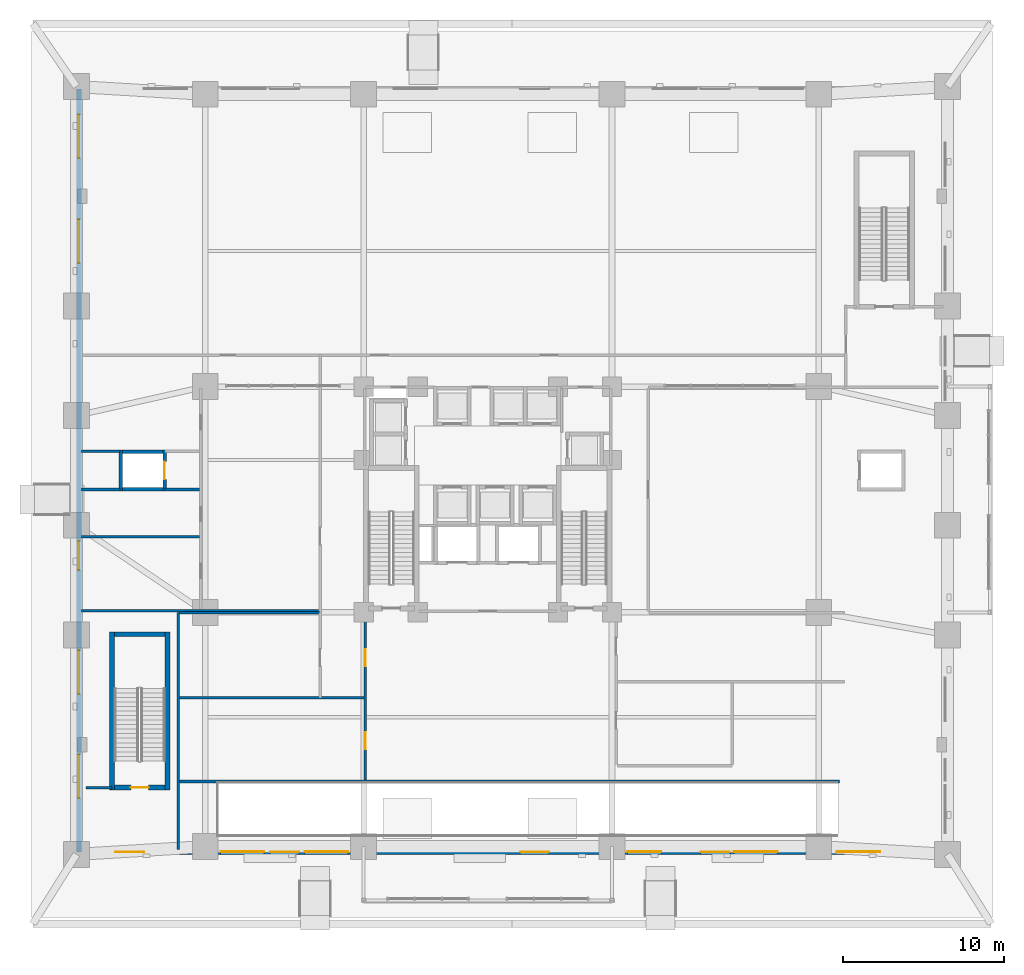
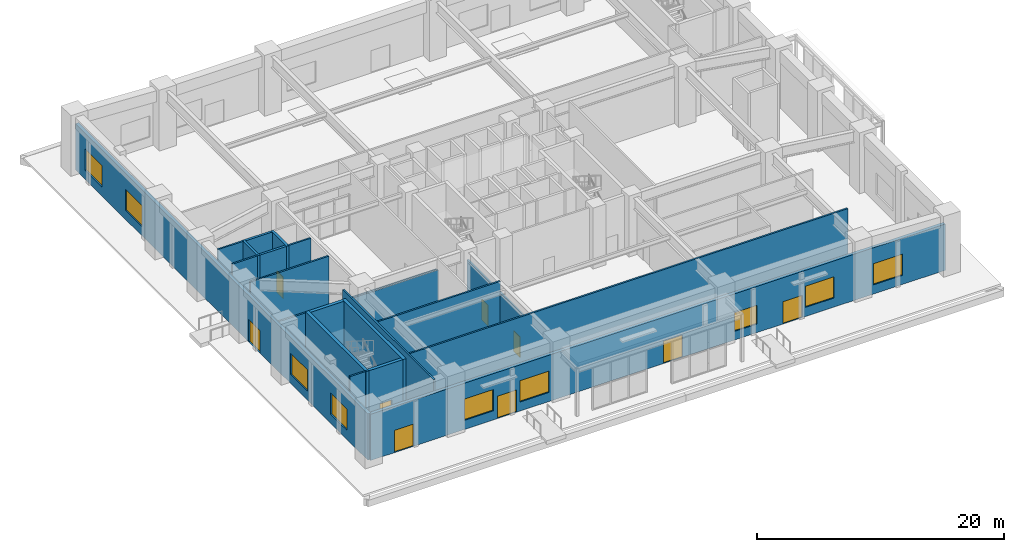
# One storey, part 13 of 24: 21 walls, 9 doors, 9 windows, 18 openings.
"""IFC4 building model written with IfcOpenShell, lengths in metres."""

from ifc_helpers import new_model, si_unit, derived_unit, direction, frame, frame_2d, origin, place, context, subcontext, project, spatial, rectangle, extrude, material, layer, layer_set, type_object, element, fill, save


model = new_model("IFC4")

# Units and contexts
model_context = context("Model", 3, precision=1e-05, world=origin(), true_north=direction((0.0, 1.0)))
body_context = subcontext(model_context, "Body", "Model", "MODEL_VIEW")
ifc_project = project(units=[si_unit("LENGTHUNIT", "METRE"), si_unit("AREAUNIT", "SQUARE_METRE"), si_unit("VOLUMEUNIT", "CUBIC_METRE"), si_unit("PLANEANGLEUNIT", "RADIAN"), si_unit("MASSUNIT", "GRAM", prefix="KILO"), derived_unit("THERMALTRANSMITTANCEUNIT", [(si_unit("MASSUNIT", "GRAM", prefix="KILO"), 1), (si_unit("TIMEUNIT", "SECOND"), -3), (si_unit("THERMODYNAMICTEMPERATUREUNIT", "KELVIN"), -1)])], contexts=[model_context])

# Site, building, storey
site_placement = place(None, origin())
site = spatial("IfcSite", under=ifc_project, at=site_placement, CompositionType="ELEMENT")
building_placement = place(site_placement, origin())
building = spatial("IfcBuilding", under=site, at=building_placement, Name="Korrvale Station Residences", CompositionType="ELEMENT")
storey_placement = place(building_placement, origin())
storey = spatial("IfcBuildingStorey", under=building, at=storey_placement, Name="L00", CompositionType="ELEMENT", Elevation=0.0)

# Walls
ifc_material_1 = material(Name="Concrete C70/85", Category="concrete")
ifc_layer_1 = layer(ifc_material_1, 0.300048828125, Name="Concrete C70/85")
ifc_layer_set_1 = layer_set([ifc_layer_1], Name="Concrete C70/85")
wall_type_1 = type_object("IfcWallType", Name="WAL-CORE-300-C70", PredefinedType="SHEAR", material=ifc_layer_set_1)
for number, where, z_axis, x_axis, name in (
    (1, (2.199951171875, 4.0, 0.0), (0.0, 0.0, 1.0), (0.0, 1.0, 0.0), "L00 ST-3 Core Shear Wall West"),
    (2, (5.64990234375, 4.0, 0.0), (0.0, 0.0, 1.0), (0.0, 1.0, 0.0), "L00 ST-3 Core Shear Wall East"),
):
    element("IfcWall", number, at=place(storey_placement, frame(where, z_axis=z_axis, x_axis=x_axis)), inside=storey, type_object=wall_type_1, Name=name, PredefinedType="SHEAR", context=body_context, shape_type="SweptSolid", body=[
        extrude(rectangle(XDim=9.800048828125, YDim=0.300048828125, at=frame_2d((4.89990234375, 0.0))), origin(), (0.0, 0.0, 1.0), 5.679931640625),
    ])
wall_1_placement = place(storey_placement, frame((2.35009765625, 13.64990234375, 0.0), z_axis=(0.0, 0.0, 1.0), x_axis=(1.0, 0.0, 0.0)))
element("IfcWall", 3, at=wall_1_placement, inside=storey, type_object=wall_type_1, Name="L00 ST-3 Core Shear Wall North", PredefinedType="SHEAR", context=body_context, shape_type="SweptSolid", body=[
    extrude(rectangle(XDim=3.14990234375, YDim=0.300048828125, at=frame_2d((1.574951171875, 0.0))), origin(), (0.0, 0.0, 1.0), 5.679931640625),
])

# Wall, opening, door
wall_2_placement = place(storey_placement, frame((2.35009765625, 4.14990234375, 0.0), z_axis=(0.0, 0.0, 1.0), x_axis=(1.0, 0.0, 0.0)))
wall_2 = element("IfcWall", 4, at=wall_2_placement, inside=storey, type_object=wall_type_1, Name="L00 ST-3 Core Shear Wall South", PredefinedType="SHEAR", context=body_context, shape_type="SweptSolid", body=[
    extrude(rectangle(XDim=3.14990234375, YDim=0.300048828125, at=frame_2d((1.574951171875, 0.0))), origin(), (0.0, 0.0, 1.0), 5.679931640625),
])
opening_1_placement = place(wall_2_placement, frame((1.02001953125, 0.0, 0.0)))
opening_1 = element("IfcOpeningElement", 5, at=opening_1_placement, cuts=wall_2, Name="Opening SD-1100", PredefinedType="OPENING", context=body_context, shape_type="SweptSolid", body=[
    extrude(rectangle(XDim=1.10009765625, YDim=2.050048828125, at=frame_2d((0.550048828125, 1.02490234375))), frame((0.0, 0.16015625, 0.0), z_axis=(0.0, -1.0, 0.0), x_axis=(1.0, 0.0, 0.0)), (0.0, 0.0, 1.0), 0.320068359375),
])
ifc_material_2 = material(Name="Hollow-metal fire-rated stair door with closer", Category="steel")
door_type_1 = type_object("IfcDoorType", Name="DR-STAIR-1100", OperationType="NOTDEFINED", PredefinedType="DOOR", material=ifc_material_2)
door_1_placement = place(opening_1_placement, origin())
door_1 = element("IfcDoor", 6, at=door_1_placement, inside=storey, type_object=door_type_1, Name="L00 ST-3 Exit Stair Door", OperationType="SINGLE_SWING_LEFT", OverallHeight=2.050048828125, OverallWidth=1.10009765625, PredefinedType="DOOR", context=body_context, shape_type="SweptSolid", body=[
    extrude(rectangle(XDim=1.10009765625, YDim=2.050048828125, at=frame_2d((0.550048828125, 1.02490234375))), frame((0.0, 0.02490234375, 0.0), z_axis=(0.0, -1.0, 0.0), x_axis=(1.0, 0.0, 0.0)), (0.0, 0.0, 1.0), 0.050048828125),
])
fill(opening_1, door_1)

# Wall, openings, doors, windows
ifc_material_3 = material(Name="Precast concrete C45/55", Category="concrete")
ifc_layer_2 = layer(ifc_material_3, 0.300048828125, Name="Precast concrete C45/55")
ifc_layer_set_2 = layer_set([ifc_layer_2], Name="Precast concrete C45/55")
wall_type_2 = type_object("IfcWallType", Name="WAL-EXT-PC300", PredefinedType="SOLIDWALL", material=ifc_layer_set_2)
wall_3_placement = place(storey_placement, frame((53.840087890625, 0.14990234375, 0.0), z_axis=(0.0, 0.0, 1.0), x_axis=(-1.0, 0.0, 0.0)))
wall_3 = element("IfcWall", 7, at=wall_3_placement, inside=storey, type_object=wall_type_2, Name="L00 South Exterior Precast Wall 1", PredefinedType="SOLIDWALL", context=body_context, shape_type="SweptSolid", body=[
    extrude(rectangle(XDim=53.68017578125, YDim=0.300048828125, at=frame_2d((26.840087890625, 0.0))), origin(), (0.0, 0.0, 1.0), 4.56494140625),
])
opening_2_placement = place(wall_3_placement, frame((24.5400390625, 0.0, 0.0)))
opening_2 = element("IfcOpeningElement", 8, at=opening_2_placement, cuts=wall_3, Name="Opening ED-01", PredefinedType="OPENING", context=body_context, shape_type="SweptSolid", body=[
    extrude(rectangle(XDim=1.800048828125, YDim=2.199951171875, at=frame_2d((0.89990234375, 1.10009765625))), frame((0.0, 0.16015625, 0.0), z_axis=(0.0, -1.0, 0.0), x_axis=(1.0, 0.0, 0.0)), (0.0, 0.0, 1.0), 0.320068359375),
])
opening_3_placement = place(wall_3_placement, frame((49.639892578125, 0.0, 0.0)))
opening_3 = element("IfcOpeningElement", 9, at=opening_3_placement, cuts=wall_3, Name="Opening ED-01", PredefinedType="OPENING", context=body_context, shape_type="SweptSolid", body=[
    extrude(rectangle(XDim=1.800048828125, YDim=2.199951171875, at=frame_2d((0.89990234375, 1.10009765625))), frame((0.0, 0.16015625, 0.0), z_axis=(0.0, -1.0, 0.0), x_axis=(1.0, 0.0, 0.0)), (0.0, 0.0, 1.0), 0.320068359375),
])
opening_4_placement = place(wall_3_placement, frame((40.0400390625, 0.0, 0.0)))
opening_4 = element("IfcOpeningElement", 10, at=opening_4_placement, cuts=wall_3, Name="Opening ED-01", PredefinedType="OPENING", context=body_context, shape_type="SweptSolid", body=[
    extrude(rectangle(XDim=1.800048828125, YDim=2.199951171875, at=frame_2d((0.89990234375, 1.10009765625))), frame((0.0, 0.16015625, 0.0), z_axis=(0.0, -1.0, 0.0), x_axis=(1.0, 0.0, 0.0)), (0.0, 0.0, 1.0), 0.320068359375),
])
opening_5_placement = place(wall_3_placement, frame((13.340087890625, 0.0, 0.0)))
opening_5 = element("IfcOpeningElement", 11, at=opening_5_placement, cuts=wall_3, Name="Opening ED-01", PredefinedType="OPENING", context=body_context, shape_type="SweptSolid", body=[
    extrude(rectangle(XDim=1.800048828125, YDim=2.199951171875, at=frame_2d((0.89990234375, 1.10009765625))), frame((0.0, 0.16015625, 0.0), z_axis=(0.0, -1.0, 0.0), x_axis=(1.0, 0.0, 0.0)), (0.0, 0.0, 1.0), 0.320068359375),
])
opening_6_placement = place(wall_3_placement, frame((4.0, 0.0, 0.89990234375)))
opening_6 = element("IfcOpeningElement", 12, at=opening_6_placement, cuts=wall_3, Name="Opening W-07", PredefinedType="OPENING", context=body_context, shape_type="SweptSolid", body=[
    extrude(rectangle(XDim=2.699951171875, YDim=2.10009765625, at=frame_2d((1.35009765625, 1.050048828125))), frame((0.0, 0.16015625, 0.0), z_axis=(0.0, -1.0, 0.0), x_axis=(1.0, 0.0, 0.0)), (0.0, 0.0, 1.0), 0.320068359375),
])
opening_7_placement = place(wall_3_placement, frame((10.3798828125, 0.0, 0.89990234375)))
opening_7 = element("IfcOpeningElement", 13, at=opening_7_placement, cuts=wall_3, Name="Opening W-07", PredefinedType="OPENING", context=body_context, shape_type="SweptSolid", body=[
    extrude(rectangle(XDim=2.699951171875, YDim=2.10009765625, at=frame_2d((1.35009765625, 1.050048828125))), frame((0.0, 0.16015625, 0.0), z_axis=(0.0, -1.0, 0.0), x_axis=(1.0, 0.0, 0.0)), (0.0, 0.0, 1.0), 0.320068359375),
])
opening_8_placement = place(wall_3_placement, frame((17.580078125, 0.0, 0.85009765625)))
opening_8 = element("IfcOpeningElement", 14, at=opening_8_placement, cuts=wall_3, Name="Opening W-02", PredefinedType="OPENING", context=body_context, shape_type="SweptSolid", body=[
    extrude(rectangle(XDim=2.10009765625, YDim=1.85009765625, at=frame_2d((1.050048828125, 0.925048828125))), frame((0.0, 0.16015625, 0.0), z_axis=(0.0, -1.0, 0.0), x_axis=(1.0, 0.0, 0.0)), (0.0, 0.0, 1.0), 0.320068359375),
])
opening_9_placement = place(wall_3_placement, frame((37.0, 0.0, 0.89990234375)))
opening_9 = element("IfcOpeningElement", 15, at=opening_9_placement, cuts=wall_3, Name="Opening W-07", PredefinedType="OPENING", context=body_context, shape_type="SweptSolid", body=[
    extrude(rectangle(XDim=2.699951171875, YDim=2.10009765625, at=frame_2d((1.35009765625, 1.050048828125))), frame((0.0, 0.16015625, 0.0), z_axis=(0.0, -1.0, 0.0), x_axis=(1.0, 0.0, 0.0)), (0.0, 0.0, 1.0), 0.320068359375),
])
opening_10_placement = place(wall_3_placement, frame((42.199951171875, 0.0, 0.89990234375)))
opening_10 = element("IfcOpeningElement", 16, at=opening_10_placement, cuts=wall_3, Name="Opening W-07", PredefinedType="OPENING", context=body_context, shape_type="SweptSolid", body=[
    extrude(rectangle(XDim=2.699951171875, YDim=2.10009765625, at=frame_2d((1.35009765625, 1.050048828125))), frame((0.0, 0.16015625, 0.0), z_axis=(0.0, -1.0, 0.0), x_axis=(1.0, 0.0, 0.0)), (0.0, 0.0, 1.0), 0.320068359375),
])
ifc_material_4 = material(Name="Thermally broken glazed aluminium entrance door", Category="aluminium")
door_type_2 = type_object("IfcDoorType", Name="DR-EXT-EXIT", OperationType="DOUBLE_SWING_LEFT", PredefinedType="DOOR", material=ifc_material_4)
door_2_placement = place(opening_2_placement, origin())
door_2 = element("IfcDoor", 17, at=door_2_placement, inside=storey, type_object=door_type_2, Name="South Tower Main Entrance Door", OperationType="DOUBLE_SWING_LEFT", OverallHeight=2.199951171875, OverallWidth=1.800048828125, PredefinedType="DOOR", context=body_context, shape_type="SweptSolid", body=[
    extrude(rectangle(XDim=1.800048828125, YDim=2.199951171875, at=frame_2d((0.89990234375, 1.10009765625))), frame((0.0, 0.02490234375, 0.0), z_axis=(0.0, -1.0, 0.0), x_axis=(1.0, 0.0, 0.0)), (0.0, 0.0, 1.0), 0.050048828125),
])
fill(opening_2, door_2)
door_3_placement = place(opening_3_placement, origin())
door_3 = element("IfcDoor", 18, at=door_3_placement, inside=storey, type_object=door_type_2, Name="West Stair Discharge Exit Door", OperationType="DOUBLE_SWING_LEFT", OverallHeight=2.199951171875, OverallWidth=1.800048828125, PredefinedType="DOOR", context=body_context, shape_type="SweptSolid", body=[
    extrude(rectangle(XDim=1.800048828125, YDim=2.199951171875, at=frame_2d((0.89990234375, 1.10009765625))), frame((0.0, 0.02490234375, 0.0), z_axis=(0.0, -1.0, 0.0), x_axis=(1.0, 0.0, 0.0)), (0.0, 0.0, 1.0), 0.050048828125),
])
fill(opening_3, door_3)
door_4_placement = place(opening_4_placement, origin())
door_4 = element("IfcDoor", 19, at=door_4_placement, inside=storey, type_object=door_type_2, Name="South West Concourse Arcade Exit Door", OperationType="DOUBLE_SWING_LEFT", OverallHeight=2.199951171875, OverallWidth=1.800048828125, PredefinedType="DOOR", context=body_context, shape_type="SweptSolid", body=[
    extrude(rectangle(XDim=1.800048828125, YDim=2.199951171875, at=frame_2d((0.89990234375, 1.10009765625))), frame((0.0, 0.02490234375, 0.0), z_axis=(0.0, -1.0, 0.0), x_axis=(1.0, 0.0, 0.0)), (0.0, 0.0, 1.0), 0.050048828125),
])
fill(opening_4, door_4)
door_5_placement = place(opening_5_placement, origin())
door_5 = element("IfcDoor", 20, at=door_5_placement, inside=storey, type_object=door_type_2, Name="South East Concourse Arcade Exit Door", OperationType="DOUBLE_SWING_LEFT", OverallHeight=2.199951171875, OverallWidth=1.800048828125, PredefinedType="DOOR", context=body_context, shape_type="SweptSolid", body=[
    extrude(rectangle(XDim=1.800048828125, YDim=2.199951171875, at=frame_2d((0.89990234375, 1.10009765625))), frame((0.0, 0.02490234375, 0.0), z_axis=(0.0, -1.0, 0.0), x_axis=(1.0, 0.0, 0.0)), (0.0, 0.0, 1.0), 0.050048828125),
])
fill(opening_5, door_5)
ifc_material_5 = material(Name="Thermally broken aluminium frame with triple low-e glazing", Category="aluminium")
window_type_1 = type_object("IfcWindowType", Name="WIN-W02", PartitioningType="DOUBLE_PANEL_VERTICAL", PredefinedType="WINDOW", material=ifc_material_5)
window_1_placement = place(opening_8_placement, origin())
window_1 = element("IfcWindow", 21, at=window_1_placement, inside=storey, type_object=window_type_1, Name="L00 Station Concourse Punched Window 13", OverallHeight=1.85009765625, OverallWidth=2.10009765625, PartitioningType="DOUBLE_PANEL_VERTICAL", PredefinedType="WINDOW", context=body_context, shape_type="SweptSolid", body=[
    extrude(rectangle(XDim=2.10009765625, YDim=1.85009765625, at=frame_2d((1.050048828125, 0.925048828125))), frame((0.0, 0.030029296875, 0.0), z_axis=(0.0, -1.0, 0.0), x_axis=(1.0, 0.0, 0.0)), (0.0, 0.0, 1.0), 0.06005859375),
])
fill(opening_8, window_1)
window_type_2 = type_object("IfcWindowType", Name="WIN-W07", PartitioningType="TRIPLE_PANEL_VERTICAL", PredefinedType="WINDOW", material=ifc_material_5)
window_2_placement = place(opening_6_placement, origin())
window_2 = element("IfcWindow", 22, at=window_2_placement, inside=storey, type_object=window_type_2, Name="L00 Station Concourse Punched Window 11", OverallHeight=2.10009765625, OverallWidth=2.699951171875, PartitioningType="TRIPLE_PANEL_VERTICAL", PredefinedType="WINDOW", context=body_context, shape_type="SweptSolid", body=[
    extrude(rectangle(XDim=2.699951171875, YDim=2.10009765625, at=frame_2d((1.35009765625, 1.050048828125))), frame((0.0, 0.030029296875, 0.0), z_axis=(0.0, -1.0, 0.0), x_axis=(1.0, 0.0, 0.0)), (0.0, 0.0, 1.0), 0.06005859375),
])
fill(opening_6, window_2)
window_3_placement = place(opening_7_placement, origin())
window_3 = element("IfcWindow", 23, at=window_3_placement, inside=storey, type_object=window_type_2, Name="L00 Station Concourse Punched Window 12", OverallHeight=2.10009765625, OverallWidth=2.699951171875, PartitioningType="TRIPLE_PANEL_VERTICAL", PredefinedType="WINDOW", context=body_context, shape_type="SweptSolid", body=[
    extrude(rectangle(XDim=2.699951171875, YDim=2.10009765625, at=frame_2d((1.35009765625, 1.050048828125))), frame((0.0, 0.030029296875, 0.0), z_axis=(0.0, -1.0, 0.0), x_axis=(1.0, 0.0, 0.0)), (0.0, 0.0, 1.0), 0.06005859375),
])
fill(opening_7, window_3)
window_4_placement = place(opening_9_placement, origin())
window_4 = element("IfcWindow", 24, at=window_4_placement, inside=storey, type_object=window_type_2, Name="L00 Station Concourse Punched Window 14", OverallHeight=2.10009765625, OverallWidth=2.699951171875, PartitioningType="TRIPLE_PANEL_VERTICAL", PredefinedType="WINDOW", context=body_context, shape_type="SweptSolid", body=[
    extrude(rectangle(XDim=2.699951171875, YDim=2.10009765625, at=frame_2d((1.35009765625, 1.050048828125))), frame((0.0, 0.030029296875, 0.0), z_axis=(0.0, -1.0, 0.0), x_axis=(1.0, 0.0, 0.0)), (0.0, 0.0, 1.0), 0.06005859375),
])
fill(opening_9, window_4)
window_5_placement = place(opening_10_placement, origin())
window_5 = element("IfcWindow", 25, at=window_5_placement, inside=storey, type_object=window_type_2, Name="L00 Station Concourse Punched Window 15", OverallHeight=2.10009765625, OverallWidth=2.699951171875, PartitioningType="TRIPLE_PANEL_VERTICAL", PredefinedType="WINDOW", context=body_context, shape_type="SweptSolid", body=[
    extrude(rectangle(XDim=2.699951171875, YDim=2.10009765625, at=frame_2d((1.35009765625, 1.050048828125))), frame((0.0, 0.030029296875, 0.0), z_axis=(0.0, -1.0, 0.0), x_axis=(1.0, 0.0, 0.0)), (0.0, 0.0, 1.0), 0.06005859375),
])
fill(opening_10, window_5)

# Wall, openings, door, windows
wall_4_placement = place(storey_placement, frame((0.14990234375, 0.159912109375, 0.0), z_axis=(0.0, 0.0, 1.0), x_axis=(0.0, 1.0, 0.0)))
wall_4 = element("IfcWall", 26, at=wall_4_placement, inside=storey, type_object=wall_type_2, Name="L00 West Exterior Precast Wall 1", PredefinedType="SOLIDWALL", context=body_context, shape_type="SweptSolid", body=[
    extrude(rectangle(XDim=47.280029296875, YDim=0.300048828125, at=frame_2d((23.64013671875, 0.0))), origin(), (0.0, 0.0, 1.0), 4.56494140625),
])
opening_11_placement = place(wall_4_placement, frame((17.4599609375, 0.0, 0.0)))
opening_11 = element("IfcOpeningElement", 27, at=opening_11_placement, cuts=wall_4, Name="Opening ED-01", PredefinedType="OPENING", context=body_context, shape_type="SweptSolid", body=[
    extrude(rectangle(XDim=1.800048828125, YDim=2.199951171875, at=frame_2d((0.89990234375, 1.10009765625))), frame((0.0, 0.16015625, 0.0), z_axis=(0.0, -1.0, 0.0), x_axis=(1.0, 0.0, 0.0)), (0.0, 0.0, 1.0), 0.320068359375),
])
opening_12_placement = place(wall_4_placement, frame((3.330078125, 0.0, 0.89990234375)))
opening_12 = element("IfcOpeningElement", 28, at=opening_12_placement, cuts=wall_4, Name="Opening W-07", PredefinedType="OPENING", context=body_context, shape_type="SweptSolid", body=[
    extrude(rectangle(XDim=2.699951171875, YDim=2.10009765625, at=frame_2d((1.35009765625, 1.050048828125))), frame((0.0, 0.16015625, 0.0), z_axis=(0.0, -1.0, 0.0), x_axis=(1.0, 0.0, 0.0)), (0.0, 0.0, 1.0), 0.320068359375),
])
opening_13_placement = place(wall_4_placement, frame((9.780029296875, 0.0, 0.89990234375)))
opening_13 = element("IfcOpeningElement", 29, at=opening_13_placement, cuts=wall_4, Name="Opening W-07", PredefinedType="OPENING", context=body_context, shape_type="SweptSolid", body=[
    extrude(rectangle(XDim=2.699951171875, YDim=2.10009765625, at=frame_2d((1.35009765625, 1.050048828125))), frame((0.0, 0.16015625, 0.0), z_axis=(0.0, -1.0, 0.0), x_axis=(1.0, 0.0, 0.0)), (0.0, 0.0, 1.0), 0.320068359375),
])
opening_14_placement = place(wall_4_placement, frame((36.5, 0.0, 0.89990234375)))
opening_14 = element("IfcOpeningElement", 30, at=opening_14_placement, cuts=wall_4, Name="Opening W-07", PredefinedType="OPENING", context=body_context, shape_type="SweptSolid", body=[
    extrude(rectangle(XDim=2.699951171875, YDim=2.10009765625, at=frame_2d((1.35009765625, 1.050048828125))), frame((0.0, 0.16015625, 0.0), z_axis=(0.0, -1.0, 0.0), x_axis=(1.0, 0.0, 0.0)), (0.0, 0.0, 1.0), 0.320068359375),
])
opening_15_placement = place(wall_4_placement, frame((43.0, 0.0, 0.89990234375)))
opening_15 = element("IfcOpeningElement", 31, at=opening_15_placement, cuts=wall_4, Name="Opening W-07", PredefinedType="OPENING", context=body_context, shape_type="SweptSolid", body=[
    extrude(rectangle(XDim=2.699951171875, YDim=2.10009765625, at=frame_2d((1.35009765625, 1.050048828125))), frame((0.0, 0.16015625, 0.0), z_axis=(0.0, -1.0, 0.0), x_axis=(1.0, 0.0, 0.0)), (0.0, 0.0, 1.0), 0.320068359375),
])
door_6_placement = place(opening_11_placement, origin())
door_6 = element("IfcDoor", 32, at=door_6_placement, inside=storey, type_object=door_type_2, Name="West Station Retail Plaza Entrance Door", OperationType="DOUBLE_SWING_LEFT", OverallHeight=2.199951171875, OverallWidth=1.800048828125, PredefinedType="DOOR", context=body_context, shape_type="SweptSolid", body=[
    extrude(rectangle(XDim=1.800048828125, YDim=2.199951171875, at=frame_2d((0.89990234375, 1.10009765625))), frame((0.0, 0.02490234375, 0.0), z_axis=(0.0, -1.0, 0.0), x_axis=(1.0, 0.0, 0.0)), (0.0, 0.0, 1.0), 0.050048828125),
])
fill(opening_11, door_6)
window_6_placement = place(opening_12_placement, origin())
window_6 = element("IfcWindow", 33, at=window_6_placement, inside=storey, type_object=window_type_2, Name="L00 Station Concourse Punched Window 16", OverallHeight=2.10009765625, OverallWidth=2.699951171875, PartitioningType="TRIPLE_PANEL_VERTICAL", PredefinedType="WINDOW", context=body_context, shape_type="SweptSolid", body=[
    extrude(rectangle(XDim=2.699951171875, YDim=2.10009765625, at=frame_2d((1.35009765625, 1.050048828125))), frame((0.0, 0.030029296875, 0.0), z_axis=(0.0, -1.0, 0.0), x_axis=(1.0, 0.0, 0.0)), (0.0, 0.0, 1.0), 0.06005859375),
])
fill(opening_12, window_6)
window_7_placement = place(opening_13_placement, origin())
window_7 = element("IfcWindow", 34, at=window_7_placement, inside=storey, type_object=window_type_2, Name="L00 Station Concourse Punched Window 17", OverallHeight=2.10009765625, OverallWidth=2.699951171875, PartitioningType="TRIPLE_PANEL_VERTICAL", PredefinedType="WINDOW", context=body_context, shape_type="SweptSolid", body=[
    extrude(rectangle(XDim=2.699951171875, YDim=2.10009765625, at=frame_2d((1.35009765625, 1.050048828125))), frame((0.0, 0.030029296875, 0.0), z_axis=(0.0, -1.0, 0.0), x_axis=(1.0, 0.0, 0.0)), (0.0, 0.0, 1.0), 0.06005859375),
])
fill(opening_13, window_7)
window_8_placement = place(opening_14_placement, origin())
window_8 = element("IfcWindow", 35, at=window_8_placement, inside=storey, type_object=window_type_2, Name="L00 Station Concourse Punched Window 18", OverallHeight=2.10009765625, OverallWidth=2.699951171875, PartitioningType="TRIPLE_PANEL_VERTICAL", PredefinedType="WINDOW", context=body_context, shape_type="SweptSolid", body=[
    extrude(rectangle(XDim=2.699951171875, YDim=2.10009765625, at=frame_2d((1.35009765625, 1.050048828125))), frame((0.0, 0.030029296875, 0.0), z_axis=(0.0, -1.0, 0.0), x_axis=(1.0, 0.0, 0.0)), (0.0, 0.0, 1.0), 0.06005859375),
])
fill(opening_14, window_8)
window_9_placement = place(opening_15_placement, origin())
window_9 = element("IfcWindow", 36, at=window_9_placement, inside=storey, type_object=window_type_2, Name="L00 Station Concourse Punched Window 19", OverallHeight=2.10009765625, OverallWidth=2.699951171875, PartitioningType="TRIPLE_PANEL_VERTICAL", PredefinedType="WINDOW", context=body_context, shape_type="SweptSolid", body=[
    extrude(rectangle(XDim=2.699951171875, YDim=2.10009765625, at=frame_2d((1.35009765625, 1.050048828125))), frame((0.0, 0.030029296875, 0.0), z_axis=(0.0, -1.0, 0.0), x_axis=(1.0, 0.0, 0.0)), (0.0, 0.0, 1.0), 0.06005859375),
])
fill(opening_15, window_9)

# Wall, openings, doors
ifc_material_6 = material(Name="Fire-rated twin-stud gypsum and mineral wool shaftwall assembly", Category="gypsum")
ifc_layer_3 = layer(ifc_material_6, 0.159912109375, Name="Fire-rated twin-stud gypsum and mineral wool shaftwall assembly")
ifc_layer_set_3 = layer_set([ifc_layer_3], Name="Fire-rated twin-stud gypsum and mineral wool shaftwall assembly")
wall_type_3 = type_object("IfcWallType", Name="WAL-PART-200", PredefinedType="PARTITIONING", material=ifc_layer_set_3)
wall_5_placement = place(storey_placement, frame((17.89990234375, 4.60009765625, 0.0), z_axis=(0.0, 0.0, 1.0), x_axis=(0.0, 1.0, 0.0)))
wall_5 = element("IfcWall", 37, at=wall_5_placement, inside=storey, type_object=wall_type_3, Name="L00 Interior Partition W-RLB-W", PredefinedType="PARTITIONING", context=body_context, shape_type="SweptSolid", body=[
    extrude(rectangle(XDim=10.3798828125, YDim=0.159912109375, at=frame_2d((5.18994140625, 0.0))), origin(), (0.0, 0.0, 1.0), 4.56494140625),
])
opening_16_placement = place(wall_5_placement, frame((1.925048828125, 0.0, 0.0)))
opening_16 = element("IfcOpeningElement", 38, at=opening_16_placement, cuts=wall_5, Name="Opening FD-1050", PredefinedType="OPENING", context=body_context, shape_type="SweptSolid", body=[
    extrude(rectangle(XDim=1.050048828125, YDim=2.050048828125, at=frame_2d((0.52490234375, 1.02490234375))), frame((0.0, 0.08984375, 0.0), z_axis=(0.0, -1.0, 0.0), x_axis=(1.0, 0.0, 0.0)), (0.0, 0.0, 1.0), 0.179931640625),
])
opening_17_placement = place(wall_5_placement, frame((7.074951171875, 0.0, 0.0)))
opening_17 = element("IfcOpeningElement", 39, at=opening_17_placement, cuts=wall_5, Name="Opening FD-1050", PredefinedType="OPENING", context=body_context, shape_type="SweptSolid", body=[
    extrude(rectangle(XDim=1.050048828125, YDim=2.050048828125, at=frame_2d((0.52490234375, 1.02490234375))), frame((0.0, 0.08984375, 0.0), z_axis=(0.0, -1.0, 0.0), x_axis=(1.0, 0.0, 0.0)), (0.0, 0.0, 1.0), 0.179931640625),
])
ifc_material_7 = material(Name="Fire-rated mineral-core timber lobby door", Category="wood")
door_type_3 = type_object("IfcDoorType", Name="DR-CORE-1050", OperationType="NOTDEFINED", PredefinedType="DOOR", material=ifc_material_7)
door_7_placement = place(opening_16_placement, origin())
door_7 = element("IfcDoor", 40, at=door_7_placement, inside=storey, type_object=door_type_3, Name="L00 West Retail Shop 1 Door", OperationType="SINGLE_SWING_LEFT", OverallHeight=2.050048828125, OverallWidth=1.050048828125, PredefinedType="DOOR", context=body_context, shape_type="SweptSolid", body=[
    extrude(rectangle(XDim=1.050048828125, YDim=2.050048828125, at=frame_2d((0.52490234375, 1.02490234375))), frame((0.0, 0.02490234375, 0.0), z_axis=(0.0, -1.0, 0.0), x_axis=(1.0, 0.0, 0.0)), (0.0, 0.0, 1.0), 0.050048828125),
])
fill(opening_16, door_7)
door_8_placement = place(opening_17_placement, origin())
door_8 = element("IfcDoor", 41, at=door_8_placement, inside=storey, type_object=door_type_3, Name="L00 Lobby West Concourse Link Door", OperationType="SINGLE_SWING_RIGHT", OverallHeight=2.050048828125, OverallWidth=1.050048828125, PredefinedType="DOOR", context=body_context, shape_type="SweptSolid", body=[
    extrude(rectangle(XDim=1.050048828125, YDim=2.050048828125, at=frame_2d((0.52490234375, 1.02490234375))), frame((0.0, 0.02490234375, 0.0), z_axis=(0.0, -1.0, 0.0), x_axis=(1.0, 0.0, 0.0)), (0.0, 0.0, 1.0), 0.050048828125),
])
fill(opening_17, door_8)

# Walls
wall_6_placement = place(storey_placement, frame((6.39990234375, 14.97998046875, 0.0), z_axis=(0.0, 0.0, 1.0), x_axis=(1.0, 0.0, 0.0)))
element("IfcWall", 42, at=wall_6_placement, inside=storey, type_object=wall_type_3, Name="L00 Interior Partition W-RW2-N", PredefinedType="PARTITIONING", context=body_context, shape_type="SweptSolid", body=[
    extrude(rectangle(XDim=8.7001953125, YDim=0.159912109375, at=frame_2d((4.35009765625, 0.0))), origin(), (0.0, 0.0, 1.0), 4.56494140625),
])
wall_7_placement = place(storey_placement, frame((6.39990234375, 4.52001953125, 0.0), z_axis=(0.0, 0.0, 1.0), x_axis=(1.0, 0.0, 0.0)))
element("IfcWall", 43, at=wall_7_placement, inside=storey, type_object=wall_type_3, Name="L00 Interior Partition W-RMP-N", PredefinedType="PARTITIONING", context=body_context, shape_type="SweptSolid", body=[
    extrude(rectangle(XDim=40.900146484375, YDim=0.159912109375, at=frame_2d((20.4501953125, 0.0))), origin(), (0.0, 0.0, 1.0), 5.679931640625),
])
wall_8_placement = place(storey_placement, frame((0.60009765625, 4.1201171875, 0.0), z_axis=(0.0, 0.0, 1.0), x_axis=(1.0, 0.0, 0.0)))
element("IfcWall", 44, at=wall_8_placement, inside=storey, type_object=wall_type_3, Name="L00 Interior Partition W-EDW-N", PredefinedType="PARTITIONING", context=body_context, shape_type="SweptSolid", body=[
    extrude(rectangle(XDim=1.599853515625, YDim=0.159912109375, at=frame_2d((0.7998046875, 0.0))), origin(), (0.0, 0.0, 1.0), 5.679931640625),
])
wall_9_placement = place(storey_placement, frame((6.300048828125, 0.300048828125, 0.0), z_axis=(0.0, 0.0, 1.0), x_axis=(0.0, 1.0, 0.0)))
element("IfcWall", 45, at=wall_9_placement, inside=storey, type_object=wall_type_3, Name="L00 Interior Partition W-EDW-E", PredefinedType="PARTITIONING", context=body_context, shape_type="SweptSolid", body=[
    extrude(rectangle(XDim=14.679931640625, YDim=0.159912109375, at=frame_2d((7.33984375, 0.0))), origin(), (0.0, 0.0, 1.0), 5.679931640625),
])
wall_10_placement = place(storey_placement, frame((6.39990234375, 9.699951171875, 0.0), z_axis=(0.0, 0.0, 1.0), x_axis=(1.0, 0.0, 0.0)))
element("IfcWall", 46, at=wall_10_placement, inside=storey, type_object=wall_type_3, Name="L00 Interior Partition W-RW-H", PredefinedType="PARTITIONING", context=body_context, shape_type="SweptSolid", body=[
    extrude(rectangle(XDim=11.4501953125, YDim=0.159912109375, at=frame_2d((5.72509765625, 0.0))), origin(), (0.0, 0.0, 1.0), 5.679931640625),
])
wall_11_placement = place(storey_placement, frame((0.300048828125, 15.10009765625, 0.0), z_axis=(0.0, 0.0, 1.0), x_axis=(1.0, 0.0, 0.0)))
element("IfcWall", 47, at=wall_11_placement, inside=storey, type_object=wall_type_3, Name="L00 Interior Partition W-WC-S", PredefinedType="PARTITIONING", context=body_context, shape_type="SweptSolid", body=[
    extrude(rectangle(XDim=14.699951171875, YDim=0.159912109375, at=frame_2d((7.35009765625, 0.0))), origin(), (0.0, 0.0, 1.0), 4.56494140625),
])
wall_12_placement = place(storey_placement, frame((0.300048828125, 19.699951171875, 0.0), z_axis=(0.0, 0.0, 1.0), x_axis=(1.0, 0.0, 0.0)))
element("IfcWall", 48, at=wall_12_placement, inside=storey, type_object=wall_type_3, Name="L00 Interior Partition W-WC-M1", PredefinedType="PARTITIONING", context=body_context, shape_type="SweptSolid", body=[
    extrude(rectangle(XDim=7.320068359375, YDim=0.159912109375, at=frame_2d((3.66015625, 0.0))), origin(), (0.0, 0.0, 1.0), 5.679931640625),
])
wall_13_placement = place(storey_placement, frame((0.300048828125, 22.6201171875, 0.0), z_axis=(0.0, 0.0, 1.0), x_axis=(1.0, 0.0, 0.0)))
element("IfcWall", 49, at=wall_13_placement, inside=storey, type_object=wall_type_3, Name="L00 Interior Partition W-WC-M2", PredefinedType="PARTITIONING", context=body_context, shape_type="SweptSolid", body=[
    extrude(rectangle(XDim=2.39990234375, YDim=0.159912109375, at=frame_2d((1.199951171875, 0.0))), origin(), (0.0, 0.0, 1.0), 5.679931640625),
])
wall_14_placement = place(storey_placement, frame((5.5, 22.6201171875, 0.0), z_axis=(0.0, 0.0, 1.0), x_axis=(1.0, 0.0, 0.0)))
element("IfcWall", 50, at=wall_14_placement, inside=storey, type_object=wall_type_3, Name="L00 Interior Partition W-WC-M2B", PredefinedType="PARTITIONING", context=body_context, shape_type="SweptSolid", body=[
    extrude(rectangle(XDim=2.1201171875, YDim=0.159912109375, at=frame_2d((1.06005859375, 0.0))), origin(), (0.0, 0.0, 1.0), 5.679931640625),
])
wall_15_placement = place(storey_placement, frame((0.300048828125, 24.97998046875, 0.0), z_axis=(0.0, 0.0, 1.0), x_axis=(1.0, 0.0, 0.0)))
element("IfcWall", 51, at=wall_15_placement, inside=storey, type_object=wall_type_3, Name="L00 Interior Partition W-WC-M3", PredefinedType="PARTITIONING", context=body_context, shape_type="SweptSolid", body=[
    extrude(rectangle(XDim=2.39990234375, YDim=0.159912109375, at=frame_2d((1.199951171875, 0.0))), origin(), (0.0, 0.0, 1.0), 5.679931640625),
])
ifc_layer_4 = layer(ifc_material_1, 0.219970703125, Name="Concrete C70/85")
ifc_layer_set_4 = layer_set([ifc_layer_4], Name="Concrete C70/85")
wall_type_4 = type_object("IfcWallType", Name="WAL-SHAFT-220-C70", PredefinedType="SHEAR", material=ifc_layer_set_4)
for number, where, z_axis, x_axis, name in (
    (52, (2.85009765625, 22.639892578125, 0.0), (0.0, 0.0, 1.0), (1.0, 0.0, 0.0), "L00 Elevator TL-1 Hoistway Wall South"),
    (53, (2.85009765625, 24.9599609375, 0.0), (0.0, 0.0, 1.0), (1.0, 0.0, 0.0), "L00 Elevator TL-1 Hoistway Wall North"),
):
    element("IfcWall", number, at=place(storey_placement, frame(where, z_axis=z_axis, x_axis=x_axis)), inside=storey, type_object=wall_type_4, Name=name, PredefinedType="SHEAR", context=body_context, shape_type="SweptSolid", body=[
        extrude(rectangle(XDim=2.5, YDim=0.219970703125, at=frame_2d((1.25, 0.0))), origin(), (0.0, 0.0, 1.0), 5.679931640625),
    ])
wall_16_placement = place(storey_placement, frame((2.739990234375, 22.530029296875, 0.0), z_axis=(0.0, 0.0, 1.0), x_axis=(0.0, 1.0, 0.0)))
element("IfcWall", 54, at=wall_16_placement, inside=storey, type_object=wall_type_4, Name="L00 Elevator TL-1 Hoistway Wall West", PredefinedType="SHEAR", context=body_context, shape_type="SweptSolid", body=[
    extrude(rectangle(XDim=2.5400390625, YDim=0.219970703125, at=frame_2d((1.27001953125, 0.0))), origin(), (0.0, 0.0, 1.0), 5.679931640625),
])

# Wall, opening, door
wall_17_placement = place(storey_placement, frame((5.4599609375, 22.530029296875, 0.0), z_axis=(0.0, 0.0, 1.0), x_axis=(0.0, 1.0, 0.0)))
wall_17 = element("IfcWall", 55, at=wall_17_placement, inside=storey, type_object=wall_type_4, Name="L00 Elevator TL-1 Hoistway Wall East", PredefinedType="SHEAR", context=body_context, shape_type="SweptSolid", body=[
    extrude(rectangle(XDim=2.5400390625, YDim=0.219970703125, at=frame_2d((1.27001953125, 0.0))), origin(), (0.0, 0.0, 1.0), 5.679931640625),
])
opening_18_placement = place(wall_17_placement, frame((0.719970703125, 0.0, 0.0)))
opening_18 = element("IfcOpeningElement", 56, at=opening_18_placement, cuts=wall_17, Name="Opening LD-1100", PredefinedType="OPENING", context=body_context, shape_type="SweptSolid", body=[
    extrude(rectangle(XDim=1.10009765625, YDim=2.14990234375, at=frame_2d((0.550048828125, 1.074951171875))), frame((0.0, 0.1201171875, 0.0), z_axis=(0.0, -1.0, 0.0), x_axis=(1.0, 0.0, 0.0)), (0.0, 0.0, 1.0), 0.239990234375),
])
ifc_material_8 = material(Name="Brushed stainless-steel elevator landing sliding door", Category="steel")
door_type_4 = type_object("IfcDoorType", Name="DR-LIFT-1100", OperationType="SLIDING_TO_LEFT", PredefinedType="DOOR", material=ifc_material_8)
door_9_placement = place(opening_18_placement, origin())
door_9 = element("IfcDoor", 57, at=door_9_placement, inside=storey, type_object=door_type_4, Name="L00 Elevator TL-1 Sliding Landing Door", OperationType="SLIDING_TO_LEFT", OverallHeight=2.14990234375, OverallWidth=1.10009765625, PredefinedType="DOOR", context=body_context, shape_type="SweptSolid", body=[
    extrude(rectangle(XDim=1.10009765625, YDim=2.14990234375, at=frame_2d((0.550048828125, 1.074951171875))), frame((0.0, 0.02490234375, 0.0), z_axis=(0.0, -1.0, 0.0), x_axis=(1.0, 0.0, 0.0)), (0.0, 0.0, 1.0), 0.050048828125),
])
fill(opening_18, door_9)

save(model, "model.ifc")
